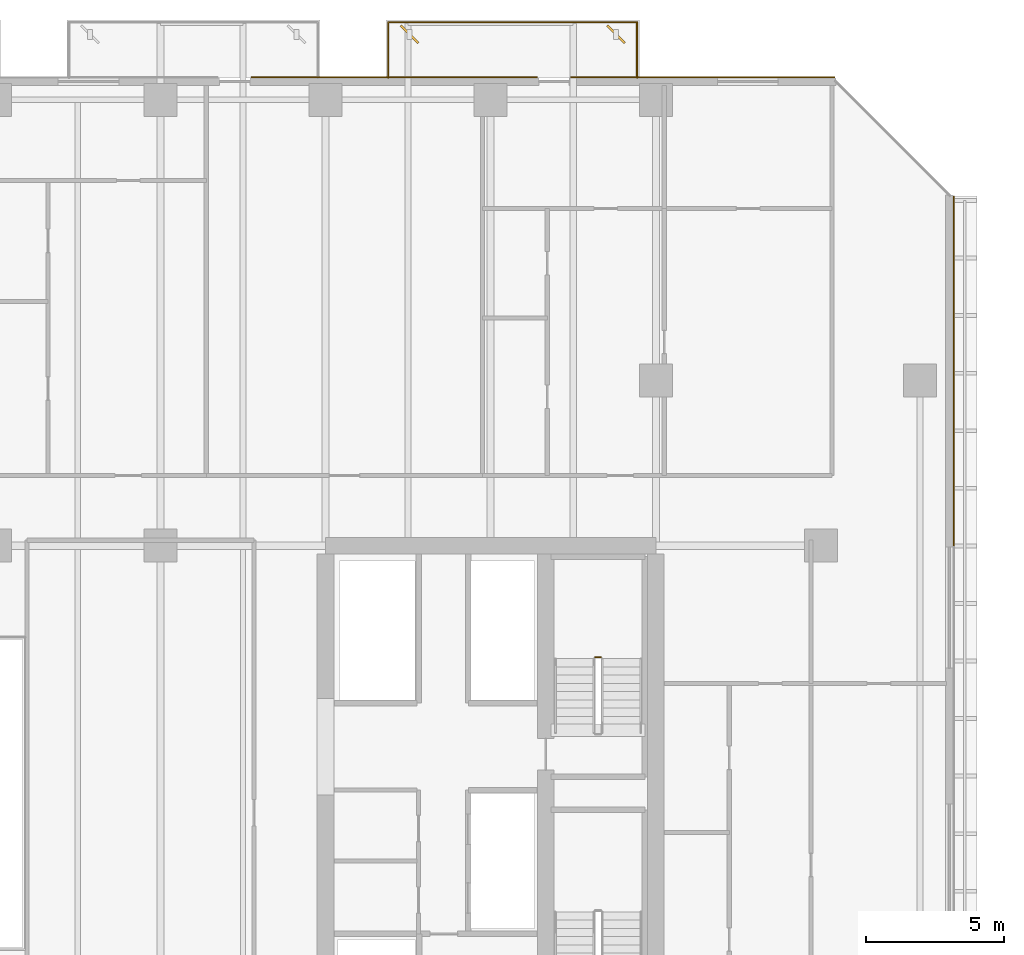
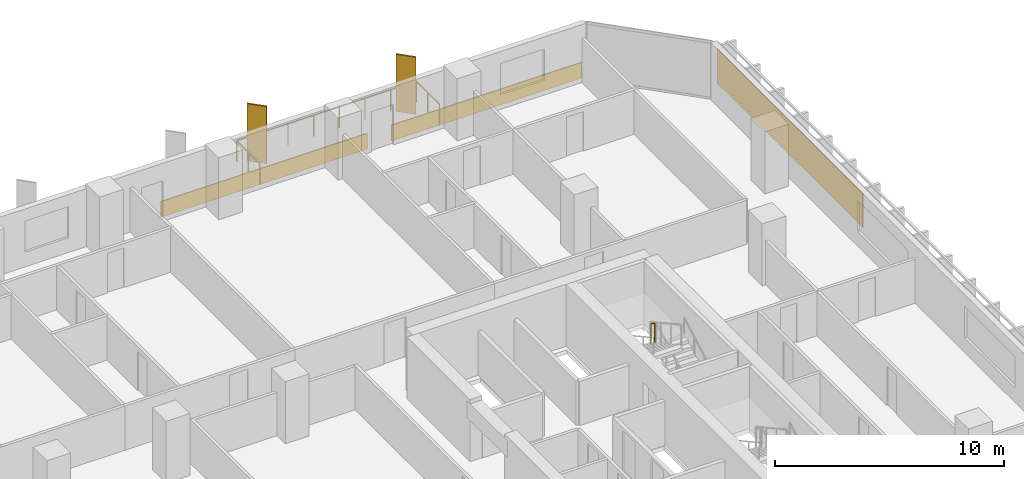
# One storey, part 33 of 33: 3 coverings, 2 railings, 2 shading devices.
"""IFC4 building model written with IfcOpenShell, lengths in metres."""

from ifc_helpers import new_model, si_unit, direction, frame, origin, origin_2d, place, context, subcontext, project, spatial, rectangle, extrude, material, layer, layer_set, type_object, element, save


model = new_model("IFC4")

# Units and contexts
model_context = context("Model", 3, precision=1e-05, world=origin(), true_north=direction((0.0, 1.0)))
body_context = subcontext(model_context, "Body", "Model", "MODEL_VIEW")
ifc_project = project(units=[si_unit("LENGTHUNIT", "METRE"), si_unit("AREAUNIT", "SQUARE_METRE"), si_unit("VOLUMEUNIT", "CUBIC_METRE"), si_unit("PLANEANGLEUNIT", "RADIAN"), si_unit("MASSUNIT", "GRAM", prefix="KILO")], contexts=[model_context])

# Site, building, storey
site_placement = place(None, origin())
site = spatial("IfcSite", under=ifc_project, at=site_placement, CompositionType="ELEMENT")
building_placement = place(site_placement, origin())
building = spatial("IfcBuilding", under=site, at=building_placement, Name="Tanjung Sevakor Pilgrim Tower", CompositionType="ELEMENT")
storey_placement = place(building_placement, frame((0.0, 0.0, 35.639892578125)))
storey = spatial("IfcBuildingStorey", under=building, at=storey_placement, Name="L09", CompositionType="ELEMENT", Elevation=35.639892578125)

# Coverings
ifc_material_1 = material(Name="Reconstructed Limestone Cladding", Category="masonry")
ifc_layer = layer(ifc_material_1, 0.044921875)
ifc_layer_set = layer_set([ifc_layer], Name="COV-CLAD-LIMESTONE")
covering_type = type_object("IfcCoveringType", Name="COV-CLAD-LIMESTONE", PredefinedType="CLADDING", material=ifc_layer_set)
covering_1_placement = place(storey_placement, frame((100.822509765625, 48.950927734375, 0.85009765625), z_axis=(0.0, 0.0, 1.0), x_axis=(0.0, 1.0, 0.0)))
element("IfcCovering", 1, at=covering_1_placement, inside=storey, type_object=covering_type, Name="L09 Warm Limestone Pier Panel EW-L09-MAIN-7-3", PredefinedType="CLADDING", context=body_context, shape_type="SweptSolid", body=[
    extrude(rectangle(XDim=12.701904296875, YDim=0.044921875, at=origin_2d()), origin(), (0.0, 0.0, 1.0), 1.81005859375),
])
covering_2_placement = place(storey_placement, frame((91.7060546875, 59.62255859375, 0.01025390625), z_axis=(0.0, 0.0, 1.0), x_axis=(-1.0, 0.0, 0.0)))
element("IfcCovering", 2, at=covering_2_placement, inside=storey, type_object=covering_type, Name="L09 Warm Limestone Sill Spandrel EW-L09-MAIN-9-1", PredefinedType="CLADDING", context=body_context, shape_type="SweptSolid", body=[
    extrude(rectangle(XDim=9.592041015625, YDim=0.044921875, at=origin_2d()), origin(), (0.0, 0.0, 1.0), 0.840087890625),
])
covering_3_placement = place(storey_placement, frame((80.5, 59.62255859375, 0.01025390625), z_axis=(0.0, 0.0, 1.0), x_axis=(-1.0, 0.0, 0.0)))
element("IfcCovering", 3, at=covering_3_placement, inside=storey, type_object=covering_type, Name="L09 Warm Limestone Sill Spandrel EW-L09-MAIN-9-2", PredefinedType="CLADDING", context=body_context, shape_type="SweptSolid", body=[
    extrude(rectangle(XDim=10.3798828125, YDim=0.044921875, at=origin_2d()), origin(), (0.0, 0.0, 1.0), 0.840087890625),
])

# Railings
ifc_material_2 = material(Name="Laminated Glass and Aluminium", Category="aluminium")
railing_type_1 = type_object("IfcRailingType", Name="RL-BAL-BALUST", PredefinedType="BALUSTRADE", material=ifc_material_2)
railing_1_placement = place(storey_placement, frame((80.280029296875, 59.60009765625, 0.0)))
element("IfcRailing", 4, at=railing_1_placement, inside=storey, type_object=railing_type_1, Name="L09 Loggia Balustrade MAIN-N4", PredefinedType="BALUSTRADE", context=body_context, shape_type="SweptSolid", body=[
    extrude(rectangle(XDim=0.0479, YDim=0.0479), frame((0.0, 0.0, 1.1259765625), z_axis=(0.0, 1.0, 0.0), x_axis=(-1.0, 0.0, 0.0)), (0.0, 0.0, 1.0), 2.02001953125),
    extrude(rectangle(XDim=0.0479, YDim=0.0479), frame((0.0, 2.02001953125, 1.1259765625), z_axis=(1.0, 0.0, 0.0), x_axis=(0.0, 1.0, 0.0)), (0.0, 0.0, 1.0), 9.0400390625),
    extrude(rectangle(XDim=0.0479, YDim=0.0479), frame((9.0400390625, 2.02001953125, 1.1259765625), z_axis=(0.0, -1.0, 0.0), x_axis=(1.0, 0.0, 0.0)), (0.0, 0.0, 1.0), 2.02001953125),
    extrude(rectangle(XDim=0.042, YDim=0.042), origin(), (0.0, 0.0, 1.0), 1.101806640625),
    extrude(rectangle(XDim=0.042, YDim=0.042), frame((0.0, 1.010009765625, 0.0)), (0.0, 0.0, 1.0), 1.101806640625),
    extrude(rectangle(XDim=0.042, YDim=0.042), frame((0.0, 2.02001953125, 0.0)), (0.0, 0.0, 1.0), 1.101806640625),
    extrude(rectangle(XDim=0.042, YDim=0.042), frame((1.29150390625, 2.02001953125, 0.0)), (0.0, 0.0, 1.0), 1.101806640625),
    extrude(rectangle(XDim=0.042, YDim=0.042), frame((2.582763671875, 2.02001953125, 0.0)), (0.0, 0.0, 1.0), 1.101806640625),
    extrude(rectangle(XDim=0.042, YDim=0.042), frame((3.874267578125, 2.02001953125, 0.0)), (0.0, 0.0, 1.0), 1.101806640625),
    extrude(rectangle(XDim=0.042, YDim=0.042), frame((5.165771484375, 2.02001953125, 0.0)), (0.0, 0.0, 1.0), 1.101806640625),
    extrude(rectangle(XDim=0.042, YDim=0.042), frame((6.457275390625, 2.02001953125, 0.0)), (0.0, 0.0, 1.0), 1.101806640625),
    extrude(rectangle(XDim=0.042, YDim=0.042), frame((7.74853515625, 2.02001953125, 0.0)), (0.0, 0.0, 1.0), 1.101806640625),
    extrude(rectangle(XDim=0.042, YDim=0.042), frame((9.0400390625, 2.02001953125, 0.0)), (0.0, 0.0, 1.0), 1.101806640625),
    extrude(rectangle(XDim=0.042, YDim=0.042), frame((9.0400390625, 1.010009765625, 0.0)), (0.0, 0.0, 1.0), 1.101806640625),
    extrude(rectangle(XDim=0.042, YDim=0.042), frame((9.0400390625, 0.0, 0.0)), (0.0, 0.0, 1.0), 1.101806640625),
])
ifc_material_3 = material(Name="Steel S355J2", Category="steel")
railing_type_2 = type_object("IfcRailingType", Name="RL-STAIR-GUARD", PredefinedType="GUARDRAIL", material=ifc_material_3)
railing_2_placement = place(storey_placement, frame((88.0, 38.550048828125, 1.650146484375)))
element("IfcRailing", 5, at=railing_2_placement, inside=storey, type_object=railing_type_2, Name="L09 TS-E2 stair guard 2", PredefinedType="GUARDRAIL", context=body_context, shape_type="SweptSolid", body=[
    extrude(rectangle(XDim=0.0479, YDim=0.0479), frame((0.0, 0.0, 1.076171875), z_axis=(-1.0, 0.0, 0.0), x_axis=(0.0, -1.0, 0.0)), (0.0, 0.0, 1.0), 0.199951171875),
    extrude(rectangle(XDim=0.042, YDim=0.042), origin(), (0.0, 0.0, 1.0), 1.052001953125),
    extrude(rectangle(XDim=0.042, YDim=0.042), frame((-0.199951171875, 0.0, 0.0)), (0.0, 0.0, 1.0), 1.052001953125),
])

# Shading devices
ifc_material_4 = material(Name="Anodised Bronze Aluminium 6063-T6", Category="aluminium")
shading_device_type = type_object("IfcShadingDeviceType", Name="SHD-FIN-900A", PredefinedType="USERDEFINED", material=ifc_material_4)
for number, where, z_axis, x_axis, name in (
    (6, (81.050048828125, 61.179931640625, 0.0), (0.0, 0.0, 1.0), (0.707106781187, 0.707106781187, 0.0), "L09 Anodised Bronze Solar Fin 0015"),
    (7, (88.550048828125, 61.179931640625, 0.0), (0.0, 0.0, 1.0), (0.707106781187, 0.707106781187, 0.0), "L09 Anodised Bronze Solar Fin 0016"),
):
    element("IfcShadingDevice", number, at=place(storey_placement, frame(where, z_axis=z_axis, x_axis=x_axis)), inside=storey, type_object=shading_device_type, Name=name, ObjectType="FIN", PredefinedType="USERDEFINED", context=body_context, shape_type="SweptSolid", body=[
        extrude(rectangle(XDim=0.080078125, YDim=0.89990234375, at=origin_2d()), origin(), (0.0, 0.0, 1.0), 3.0400390625),
    ])

save(model, "model.ifc")
